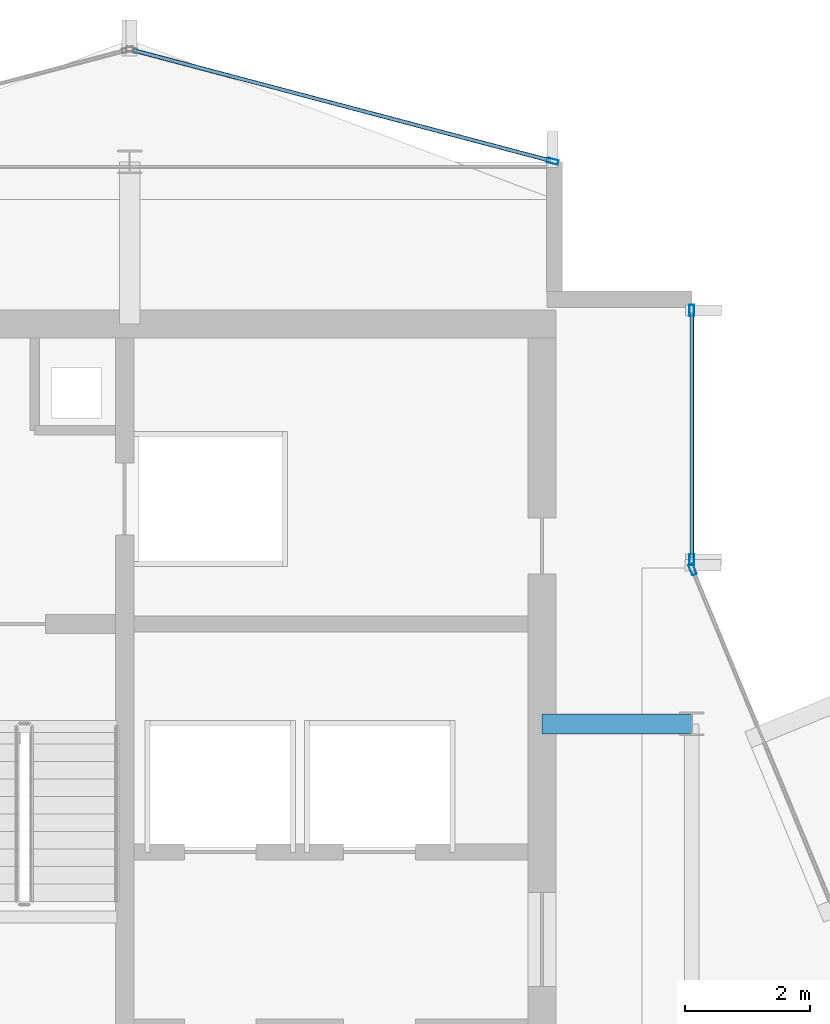
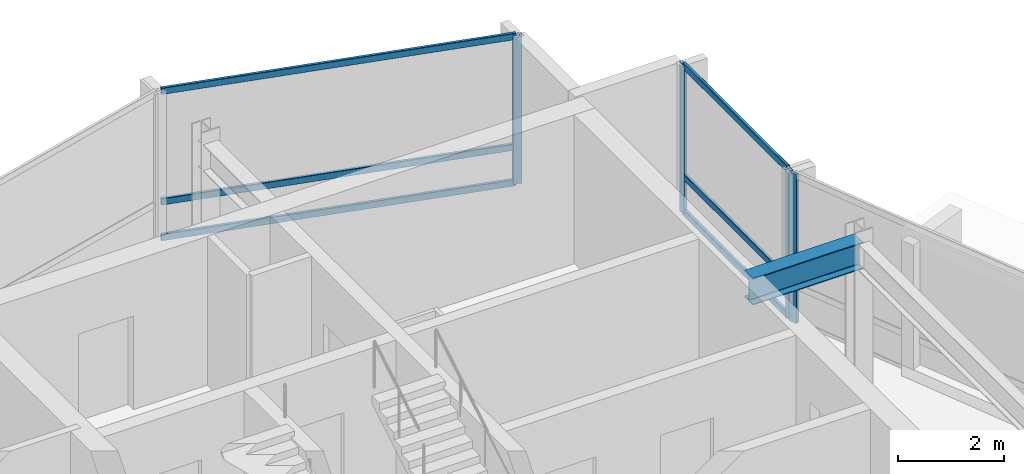
# One storey, part 12 of 19: 10 members, 1 beam, 3 elements without a shape of their own.
"""IFC4 building model written with IfcOpenShell, lengths in metres."""

from ifc_helpers import new_model, si_unit, direction, frame, origin, origin_2d, place, context, subcontext, project, spatial, hollow_rectangle, i_section, extrude, material, layer, layer_set, material_profile, profile_set, type_object, element, aggregate, save


model = new_model("IFC4")

# Units and contexts
model_context = context("Model", 3, precision=1e-05, world=origin(), true_north=direction((0.0, 1.0)))
body_context = subcontext(model_context, "Body", "Model", "MODEL_VIEW")
ifc_project = project(units=[si_unit("LENGTHUNIT", "METRE"), si_unit("AREAUNIT", "SQUARE_METRE"), si_unit("VOLUMEUNIT", "CUBIC_METRE"), si_unit("PLANEANGLEUNIT", "RADIAN"), si_unit("MASSUNIT", "GRAM", prefix="KILO")], contexts=[model_context])

# Site, building, storey
site_placement = place(None, origin())
site = spatial("IfcSite", under=ifc_project, at=site_placement, CompositionType="ELEMENT")
building_placement = place(site_placement, origin())
building = spatial("IfcBuilding", under=site, at=building_placement, Name="Solvaryn Broadcast Tower", CompositionType="ELEMENT")
storey_placement = place(building_placement, frame((0.0, 0.0, 270.39990234375)))
storey = spatial("IfcBuildingStorey", under=building, at=storey_placement, Name="L68", CompositionType="ELEMENT", Elevation=270.39990234375)

# Beam
ifc_material_1 = material(Name="Steel ASTM A992 Grade 50", Category="steel")
ifc_material_profile_1 = material_profile(ifc_material_1, i_section(OverallWidth=0.323974609375, OverallDepth=0.611083984375, WebThickness=0.0126953125, FlangeThickness=0.01904296875, FilletRadius=0.014892578125, at=origin_2d()))
ifc_profile_set_1 = profile_set([ifc_material_profile_1], Name="Steel ASTM A992 Grade 50")
beam_type = type_object("IfcBeamType", Name="BM-B1-W24X104", PredefinedType="BEAM", material=ifc_profile_set_1)
beam_placement = place(storey_placement, frame((24.60009765625, 36.0, 3.114501953125), z_axis=(1.0, 0.0, 0.0), x_axis=(0.0, 1.0, 0.0)))
element("IfcBeam", 1, at=beam_placement, inside=storey, type_object=beam_type, Name="L68 Core Tie Beam CTW2", PredefinedType="BEAM", context=body_context, shape_type="SweptSolid", body=[
    extrude(i_section(OverallWidth=0.323974609375, OverallDepth=0.611083984375, WebThickness=0.0126953125, FlangeThickness=0.01904296875, FilletRadius=0.014892578125, at=origin_2d()), origin(), (0.0, 0.0, 1.0), 2.39990234375),
])

# Curtain wall, members
ifc_material_2 = material(Name="Aluminium and Terracotta Unitised Curtain Wall", Category="masonry")
ifc_layer = layer(ifc_material_2, 0.199951171875)
ifc_layer_set = layer_set([ifc_layer], Name="CW-SYS2-LOWMID")
curtain_wall_type = type_object("IfcCurtainWallType", Name="CW-SYS2-LOWMID", PredefinedType="NOTDEFINED", material=ifc_layer_set)
curtain_wall_1_placement = place(storey_placement, origin())
curtain_wall_1 = element("IfcCurtainWall", 2, at=curtain_wall_1_placement, inside=storey, type_object=curtain_wall_type, Name="L68 Curtain Wall IV", PredefinedType="NOTDEFINED")
ifc_material_3 = material(Name="Anodised Aluminium 6063-T6", Category="aluminium")
ifc_material_profile_2 = material_profile(ifc_material_3, hollow_rectangle(XDim=0.074951171875, YDim=0.179931640625, WallThickness=0.00390625, InnerFilletRadius=0.00390625, OuterFilletRadius=0.008056640625, at=origin_2d()))
ifc_profile_set_2 = profile_set([ifc_material_profile_2], Name="Anodised Aluminium 6063-T6")
member_type_1 = type_object("IfcMemberType", Name="CW-MUL-180", PredefinedType="MULLION", material=ifc_profile_set_2)
member_1_placement = place(storey_placement, frame((27.0, 42.6201171875, 0.0), z_axis=(0.0, 0.0, 1.0), x_axis=(1.0, 0.0, 0.0)))
member_1 = element("IfcMember", 3, at=member_1_placement, type_object=member_type_1, Name="CWS2 mullion 1", PredefinedType="MULLION", context=body_context, shape_type="SweptSolid", body=[
    extrude(hollow_rectangle(XDim=0.074951171875, YDim=0.179931640625, WallThickness=0.00390625, InnerFilletRadius=0.00390625, OuterFilletRadius=0.008056640625, at=origin_2d()), origin(), (0.0, 0.0, 1.0), 3.420166015625),
])
member_2_placement = place(storey_placement, frame((27.0, 38.6298828125, 0.0), z_axis=(0.0, 0.0, 1.0), x_axis=(1.0, 0.0, 0.0)))
member_2 = element("IfcMember", 4, at=member_2_placement, type_object=member_type_1, Name="CWS2 mullion 2", PredefinedType="MULLION", context=body_context, shape_type="SweptSolid", body=[
    extrude(hollow_rectangle(XDim=0.074951171875, YDim=0.179931640625, WallThickness=0.00390625, InnerFilletRadius=0.00390625, OuterFilletRadius=0.008056640625, at=origin_2d()), origin(), (0.0, 0.0, 1.0), 3.420166015625),
])

# Curtain wall, member
curtain_wall_2_placement = place(storey_placement, origin())
curtain_wall_2 = element("IfcCurtainWall", 5, at=curtain_wall_2_placement, inside=storey, type_object=curtain_wall_type, Name="L68 Curtain Wall CN2", PredefinedType="NOTDEFINED")
member_3_placement = place(storey_placement, frame((27.011474609375, 38.47216796875, 0.0), z_axis=(0.0, 0.0, 1.0), x_axis=(-0.923894983957, -0.382646127145, 0.0)))
member_3 = element("IfcMember", 6, at=member_3_placement, type_object=member_type_1, Name="CWS2 mullion 2", PredefinedType="MULLION", context=body_context, shape_type="SweptSolid", body=[
    extrude(hollow_rectangle(XDim=0.074951171875, YDim=0.179931640625, WallThickness=0.00390625, InnerFilletRadius=0.00390625, OuterFilletRadius=0.008056640625, at=origin_2d()), origin(), (0.0, 0.0, 1.0), 3.420166015625),
])
aggregate(curtain_wall_2, [member_3])

curtain_wall_3_placement = place(storey_placement, origin())
curtain_wall_3 = element("IfcCurtainWall", 7, at=curtain_wall_3_placement, inside=storey, type_object=curtain_wall_type, Name="L68 Curtain Wall NT1", PredefinedType="NOTDEFINED")
member_4_placement = place(storey_placement, frame((24.77099609375, 45.007568359375, 0.0), z_axis=(0.0, 0.0, 1.0), x_axis=(-0.25589256031, -0.966705227863, 0.0)))
member_4 = element("IfcMember", 8, at=member_4_placement, type_object=member_type_1, Name="CWS2 mullion 1", PredefinedType="MULLION", context=body_context, shape_type="SweptSolid", body=[
    extrude(hollow_rectangle(XDim=0.074951171875, YDim=0.179931640625, WallThickness=0.00390625, InnerFilletRadius=0.00390625, OuterFilletRadius=0.008056640625, at=origin_2d()), origin(), (0.0, 0.0, 1.0), 3.420166015625),
])

# Member
ifc_material_4 = material(Name="Anodised Aluminium 6063-T6", Category="aluminium")
ifc_material_profile_3 = material_profile(ifc_material_4, hollow_rectangle(XDim=0.06494140625, YDim=0.14990234375, WallThickness=0.00390625, InnerFilletRadius=0.00390625, OuterFilletRadius=0.008056640625, at=origin_2d()))
ifc_profile_set_3 = profile_set([ifc_material_profile_3], Name="Anodised Aluminium 6063-T6")
member_type_2 = type_object("IfcMemberType", Name="CW-TRN-150", PredefinedType="USERDEFINED", material=ifc_profile_set_3)
member_5_placement = place(storey_placement, frame((27.0, 42.590087890625, 0.030029296875), z_axis=(0.0, -1.0, 0.0), x_axis=(1.0, 0.0, 0.0)))
member_5 = element("IfcMember", 9, at=member_5_placement, type_object=member_type_2, Name="CWS2 transom 1.1", ObjectType="TRANSOM", PredefinedType="USERDEFINED", context=body_context, shape_type="SweptSolid", body=[
    extrude(hollow_rectangle(XDim=0.06494140625, YDim=0.14990234375, WallThickness=0.00390625, InnerFilletRadius=0.00390625, OuterFilletRadius=0.008056640625, at=origin_2d()), origin(), (0.0, 0.0, 1.0), 3.93017578125),
])

member_6_placement = place(storey_placement, frame((27.0, 42.590087890625, 0.85009765625), z_axis=(0.0, -1.0, 0.0), x_axis=(1.0, 0.0, 0.0)))
member_6 = element("IfcMember", 10, at=member_6_placement, type_object=member_type_2, Name="CWS2 transom 1.2", ObjectType="TRANSOM", PredefinedType="USERDEFINED", context=body_context, shape_type="SweptSolid", body=[
    extrude(hollow_rectangle(XDim=0.06494140625, YDim=0.14990234375, WallThickness=0.00390625, InnerFilletRadius=0.00390625, OuterFilletRadius=0.008056640625, at=origin_2d()), origin(), (0.0, 0.0, 1.0), 3.93017578125),
])

member_7_placement = place(storey_placement, frame((27.0, 42.590087890625, 3.39013671875), z_axis=(0.0, -1.0, 0.0), x_axis=(1.0, 0.0, 0.0)))
member_7 = element("IfcMember", 11, at=member_7_placement, type_object=member_type_2, Name="CWS2 transom 1.3", ObjectType="TRANSOM", PredefinedType="USERDEFINED", context=body_context, shape_type="SweptSolid", body=[
    extrude(hollow_rectangle(XDim=0.06494140625, YDim=0.14990234375, WallThickness=0.00390625, InnerFilletRadius=0.00390625, OuterFilletRadius=0.008056640625, at=origin_2d()), origin(), (0.0, 0.0, 1.0), 3.93017578125),
])

aggregate(curtain_wall_1, [member_1, member_2, member_5, member_6, member_7])

member_8_placement = place(storey_placement, frame((24.741943359375, 45.015380859375, 0.030029296875), z_axis=(-0.966703943301, 0.255897413051, 0.0), x_axis=(-0.255897413051, -0.966703943301, 0.0)))
member_8 = element("IfcMember", 12, at=member_8_placement, type_object=member_type_2, Name="CWS2 transom 1.1", ObjectType="TRANSOM", PredefinedType="USERDEFINED", context=body_context, shape_type="SweptSolid", body=[
    extrude(hollow_rectangle(XDim=0.06494140625, YDim=0.14990234375, WallThickness=0.00390625, InnerFilletRadius=0.00390625, OuterFilletRadius=0.008056640625, at=origin_2d()), origin(), (0.0, 0.0, 1.0), 6.9140625),
])

member_9_placement = place(storey_placement, frame((24.741943359375, 45.015380859375, 0.85009765625), z_axis=(-0.966703943301, 0.255897413051, 0.0), x_axis=(-0.255897413051, -0.966703943301, 0.0)))
member_9 = element("IfcMember", 13, at=member_9_placement, type_object=member_type_2, Name="CWS2 transom 1.2", ObjectType="TRANSOM", PredefinedType="USERDEFINED", context=body_context, shape_type="SweptSolid", body=[
    extrude(hollow_rectangle(XDim=0.06494140625, YDim=0.14990234375, WallThickness=0.00390625, InnerFilletRadius=0.00390625, OuterFilletRadius=0.008056640625, at=origin_2d()), origin(), (0.0, 0.0, 1.0), 6.9140625),
])

member_10_placement = place(storey_placement, frame((24.741943359375, 45.015380859375, 3.39013671875), z_axis=(-0.966703943301, 0.255897413051, 0.0), x_axis=(-0.255897413051, -0.966703943301, 0.0)))
member_10 = element("IfcMember", 14, at=member_10_placement, type_object=member_type_2, Name="CWS2 transom 1.3", ObjectType="TRANSOM", PredefinedType="USERDEFINED", context=body_context, shape_type="SweptSolid", body=[
    extrude(hollow_rectangle(XDim=0.06494140625, YDim=0.14990234375, WallThickness=0.00390625, InnerFilletRadius=0.00390625, OuterFilletRadius=0.008056640625, at=origin_2d()), origin(), (0.0, 0.0, 1.0), 6.9140625),
])

aggregate(curtain_wall_3, [member_4, member_8, member_9, member_10])

save(model, "model.ifc")
